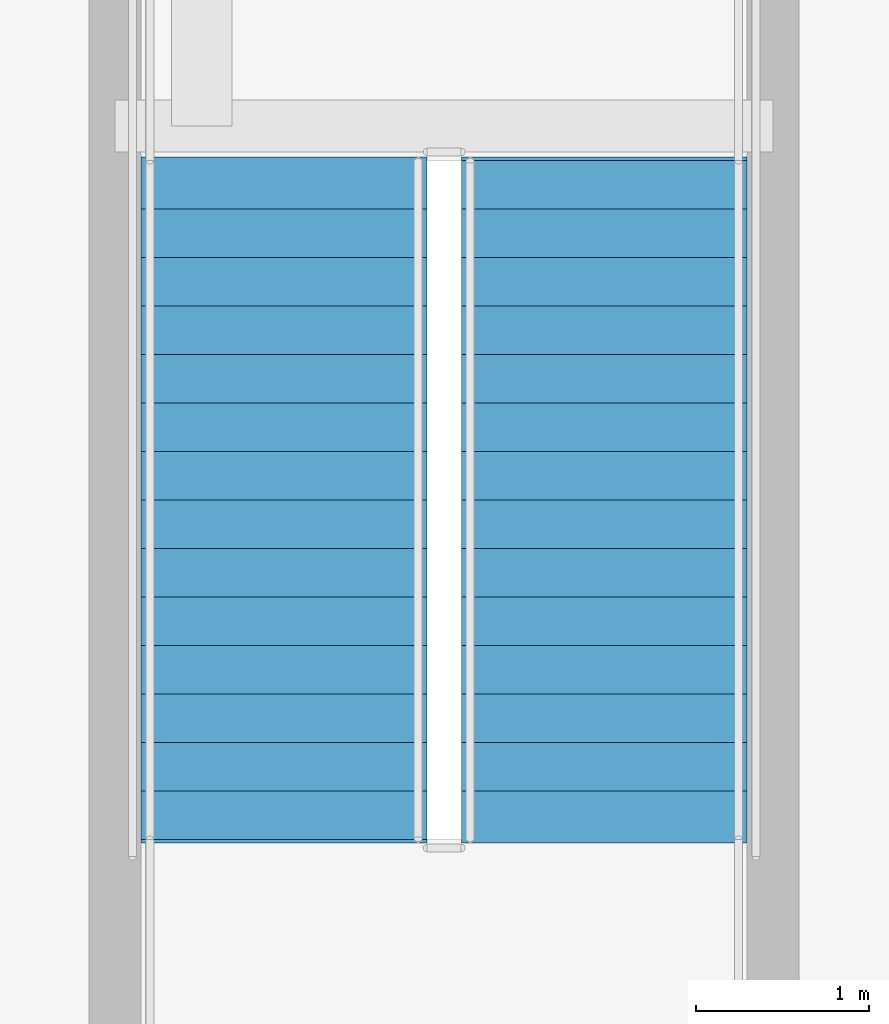
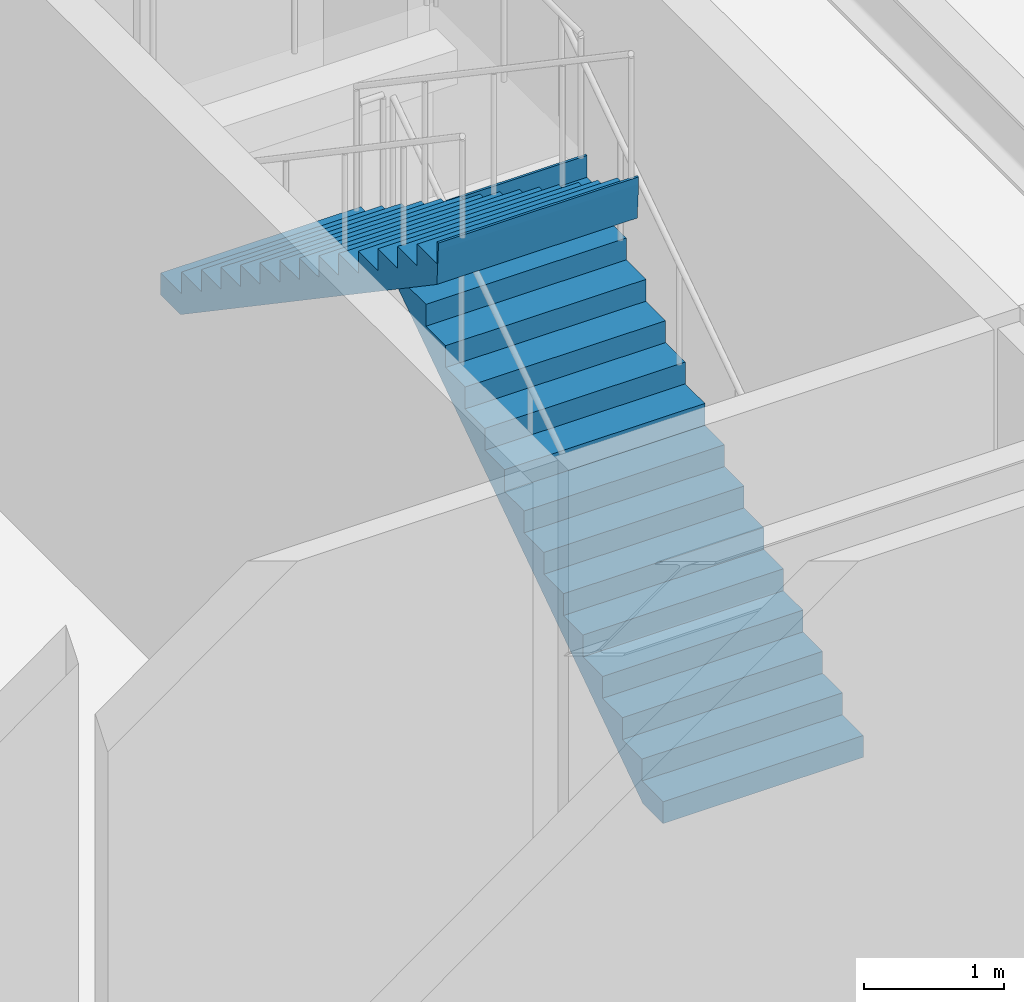
# One storey, part 8 of 12: 2 stair flights, 1 element without a shape of its own.
"""IFC4 building model written with IfcOpenShell, lengths in metres."""

import ifcopenshell
import ifcopenshell.guid

model = None  # the IFC model being written
_history = None  # IfcOwnerHistory: only IFC2X3 demands one
_inside = {}  # id of a spatial element -> (the spatial element, [elements in it])
_under = {}  # id of a project, library or spatial element -> (it, [spatial elements below it])
_declared = {}  # id of a project -> (the project, [libraries it declares])
_typed = {}  # id of a type object -> (the type object, [elements of that type])
_made_of = {}  # id of a material, layer set ... -> (it, [elements and type objects made of it])


def new_model(schema):
    """Start an empty IFC model of exactly this schema.

    Asked for "IFC4X3", IfcOpenShell would pick the latest addendum, in which some entities
    have other attributes; the version numbers below select the first issue.
    IFC2X3 requires an IfcOwnerHistory on every rooted entity: one is made here for all.
    """
    global model, _history
    if schema == "IFC4X3":
        model = ifcopenshell.file(schema_version=(4, 3, 0, 0))
    else:
        model = ifcopenshell.file(schema=schema)
    _inside.clear()
    _under.clear()
    _declared.clear()
    _typed.clear()
    _made_of.clear()
    _history = None
    if model.schema == "IFC2X3":
        org = make("IfcOrganization", Name="unknown")
        user = make(
            "IfcPersonAndOrganization",
            ThePerson=make("IfcPerson", FamilyName="unknown"),
            TheOrganization=org,
        )
        app = make(
            "IfcApplication",
            ApplicationDeveloper=org,
            Version="unknown",
            ApplicationFullName="unknown",
            ApplicationIdentifier="unknown",
        )
        _history = make(
            "IfcOwnerHistory",
            OwningUser=user,
            OwningApplication=app,
            ChangeAction="ADDED",
            CreationDate=0,
        )
    return model


def make(cls, **values):
    """One entity of the class cls with the attributes given. An attribute that is None is left unset."""
    return model.create_entity(
        cls, **{name: value for name, value in values.items() if value is not None}
    )


def rooted(cls, **values):
    """An entity with a GlobalId (a new one), such as an element, a storey or a relation."""
    return make(cls, GlobalId=ifcopenshell.guid.new(), OwnerHistory=_history, **values)


def si_unit(unit_type, name, prefix=None):
    """IfcSIUnit, for example si_unit("LENGTHUNIT", "METRE", prefix="MILLI")."""
    return make("IfcSIUnit", UnitType=unit_type, Prefix=prefix, Name=name)


def assignment(units):
    """IfcUnitAssignment: the units of a project."""
    return None if units is None else make("IfcUnitAssignment", Units=units)


def point(xyz):
    """IfcCartesianPoint."""
    return None if xyz is None else make("IfcCartesianPoint", Coordinates=xyz)


def direction(xyz):
    """IfcDirection."""
    return None if xyz is None else make("IfcDirection", DirectionRatios=xyz)


def frame(location, z_axis=None, x_axis=None):
    """IfcAxis2Placement3D, a coordinate frame: its origin and axes. An axis left out is left unset."""
    return make(
        "IfcAxis2Placement3D",
        Location=point(location),
        Axis=direction(z_axis),
        RefDirection=direction(x_axis),
    )


def origin():
    """The frame at (0, 0, 0) with its axes left unset."""
    return frame((0.0, 0.0, 0.0))


def place(relative_to, where):
    """IfcLocalPlacement: puts the frame where relative to a parent placement (None: the world)."""
    return make(
        "IfcLocalPlacement", PlacementRelTo=relative_to, RelativePlacement=where
    )


def context(
    kind, dimensions, precision=None, world=None, true_north=None, identifier=None
):
    """IfcGeometricRepresentationContext, for example the 3D "Model" context."""
    return make(
        "IfcGeometricRepresentationContext",
        ContextIdentifier=identifier,
        ContextType=kind,
        CoordinateSpaceDimension=dimensions,
        Precision=precision,
        WorldCoordinateSystem=world,
        TrueNorth=true_north,
    )


def subcontext(parent, identifier, kind, view, scale=None):
    """IfcGeometricRepresentationSubContext, for example "Body" below "Model"."""
    return make(
        "IfcGeometricRepresentationSubContext",
        ContextIdentifier=identifier,
        ContextType=kind,
        ParentContext=parent,
        TargetScale=scale,
        TargetView=view,
    )


def project(units=None, contexts=None):
    """IfcProject with its units and contexts."""
    return rooted(
        "IfcProject",
        Name="project",
        RepresentationContexts=contexts,
        UnitsInContext=assignment(units),
    )


def spatial(cls, under=None, at=None, **own):
    """A site, building, storey or space (cls), placed at a placement, below another one or the project."""
    s = rooted(cls, ObjectPlacement=at, **own)
    if under is not None:
        _under.setdefault(under.id(), (under, []))[1].append(s)
    return s


def point_list(points):
    """IfcCartesianPointList2D or 3D."""
    cls = (
        "IfcCartesianPointList2D" if len(points[0]) == 2 else "IfcCartesianPointList3D"
    )
    return make(cls, CoordList=points)


def polygons(points, faces, closed=None, point_numbers=None):
    """IfcPolygonalFaceSet: a face is its outer loop, then its inner loops; points numbered from 1."""
    made = []
    for loops in faces:
        if len(loops) == 1:
            made.append(make("IfcIndexedPolygonalFace", CoordIndex=loops[0]))
        else:
            made.append(
                make(
                    "IfcIndexedPolygonalFaceWithVoids",
                    CoordIndex=loops[0],
                    InnerCoordIndices=loops[1:],
                )
            )
    return make(
        "IfcPolygonalFaceSet",
        Coordinates=point_list(points),
        Closed=closed,
        Faces=made,
        PnIndex=point_numbers,
    )


def shape(context_of_items, identifier, shape_type, items):
    """IfcShapeRepresentation: the items that make up one representation, for example the "Body"."""
    return make(
        "IfcShapeRepresentation",
        ContextOfItems=context_of_items,
        RepresentationIdentifier=identifier,
        RepresentationType=shape_type,
        Items=items,
    )


def material(Name=None, Category=None):
    """IfcMaterial."""
    return make("IfcMaterial", Name=Name, Category=Category)


def made_of(thing, what):
    """Note that an element or type object is made of a material, layer set ...; save() writes the relation."""
    if what is not None:
        _made_of.setdefault(what.id(), (what, []))[1].append(thing)
    return thing


def type_object(cls, material=None, **own):
    """A type object (cls), such as IfcWallType, which elements share."""
    return made_of(rooted(cls, **own), material)


def element(
    cls,
    number,
    at=None,
    inside=None,
    cuts=None,
    type_object=None,
    material=None,
    context=None,
    identifier="Body",
    shape_type=None,
    held_by="IfcProductDefinitionShape",
    body=None,
    shapes=None,
    **own,
):
    """One element of the class cls, such as IfcWall. Its Tag is "e" and its number.

    at: its placement. inside: the storey or other place that contains it. cuts: it is an
    opening in that element (IfcRelVoidsElement). A single representation is given by context,
    identifier, shape_type and body (its items); several are given by shapes. held_by: the class
    of the entity that holds the representations. save() writes the other relations.
    """
    e = rooted(cls, Tag="e%d" % number, ObjectPlacement=at, **own)
    if body is not None:
        shapes = [shape(context, identifier, shape_type, body)]
    if shapes is not None:
        e.Representation = make(held_by, Representations=shapes)
    if inside is not None:
        _inside.setdefault(inside.id(), (inside, []))[1].append(e)
    if cuts is not None:
        rooted(
            "IfcRelVoidsElement", RelatingBuildingElement=cuts, RelatedOpeningElement=e
        )
    if type_object is not None:
        _typed.setdefault(type_object.id(), (type_object, []))[1].append(e)
    return made_of(e, material)


def aggregate(whole, parts):
    """IfcRelAggregates: a whole, such as a stair, and the parts it consists of."""
    return rooted("IfcRelAggregates", RelatingObject=whole, RelatedObjects=parts)


def save(model, path):
    """Write the relations noted so far, then the file.

    IfcRelAggregates (storeys below a building ...), IfcRelContainedInSpatialStructure (elements
    in a storey), IfcRelDefinesByType, IfcRelAssociatesMaterial and IfcRelDeclares: one each for
    every whole, place, type object, material and project.
    """
    for whole, parts in _under.values():
        aggregate(whole, parts)
    for where, things in _inside.values():
        rooted(
            "IfcRelContainedInSpatialStructure",
            RelatedElements=things,
            RelatingStructure=where,
        )
    for kind, things in _typed.values():
        rooted("IfcRelDefinesByType", RelatedObjects=things, RelatingType=kind)
    for what, things in _made_of.values():
        rooted("IfcRelAssociatesMaterial", RelatedObjects=things, RelatingMaterial=what)
    for by, libraries in _declared.values():
        rooted("IfcRelDeclares", RelatingContext=by, RelatedDefinitions=libraries)
    model.write(path)


model = new_model("IFC4")

# Units and contexts
model_context = context("Model", 3, precision=1e-05, world=origin(), true_north=direction((0.0, 1.0)))
body_context = subcontext(model_context, "Body", "Model", "MODEL_VIEW")
ifc_project = project(units=[si_unit("LENGTHUNIT", "METRE"), si_unit("AREAUNIT", "SQUARE_METRE"), si_unit("VOLUMEUNIT", "CUBIC_METRE"), si_unit("PLANEANGLEUNIT", "RADIAN"), si_unit("MASSUNIT", "GRAM", prefix="KILO")], contexts=[model_context])

# Site, building, storey
site_placement = place(None, origin())
site = spatial("IfcSite", under=ifc_project, at=site_placement, CompositionType="ELEMENT")
building_placement = place(site_placement, origin())
building = spatial("IfcBuilding", under=site, at=building_placement, Name="Serunith Strait Residences", CompositionType="ELEMENT")
storey_placement = place(building_placement, frame((0.0, 0.0, 15.300048828125)))
storey = spatial("IfcBuildingStorey", under=building, at=storey_placement, Name="L03", CompositionType="ELEMENT", Elevation=15.300048828125)

# Stair, stair flights
ifc_material = material(Name="Concrete C50/60", Category="concrete")
stair_type = type_object("IfcStairType", Name="STR-POD-4", PredefinedType="HALF_TURN_STAIR", material=ifc_material)
stair_placement = place(storey_placement, origin())
stair = element("IfcStair", 1, at=stair_placement, inside=storey, type_object=stair_type, Name="L03 Podium Escape Stair ST-4", PredefinedType="HALF_TURN_STAIR")
stair_flight_type = type_object("IfcStairFlightType", Name="FLT-POD-4", PredefinedType="STRAIGHT", material=ifc_material)
stair_flight_1_placement = place(storey_placement, frame((49.77490234375, 36.8798828125, 0.0), z_axis=(0.0, 0.0, 1.0), x_axis=(0.0, 1.0, 0.0)))
stair_flight_1 = element("IfcStairFlight", 2, at=stair_flight_1_placement, type_object=stair_flight_type, Name="ST-4 flight 1", NumberOfRisers=15, NumberOfTreads=14, PredefinedType="STRAIGHT", RiserHeight=0.19, TreadLength=0.28, context=body_context, shape_type="Tessellation", body=[
    polygons([(-0.02001953125, -0.824951171875, 0.0), (-0.02001953125, -0.824951171875, 0.18994140625), (0.280029296875, -0.824951171875, 0.18994140625), (0.280029296875, -0.824951171875, 0.3798828125), (0.56005859375, -0.824951171875, 0.3798828125), (0.56005859375, -0.824951171875, 0.570068359375), (0.840087890625, -0.824951171875, 0.570068359375), (0.840087890625, -0.824951171875, 0.760009765625), (1.1201171875, -0.824951171875, 0.760009765625), (1.1201171875, -0.824951171875, 0.949951171875), (1.39990234375, -0.824951171875, 0.949951171875), (1.39990234375, -0.824951171875, 1.139892578125), (1.679931640625, -0.824951171875, 1.139892578125), (1.679931640625, -0.824951171875, 1.330078125), (1.9599609375, -0.824951171875, 1.330078125), (1.9599609375, -0.824951171875, 1.52001953125), (2.239990234375, -0.824951171875, 1.52001953125), (2.239990234375, -0.824951171875, 1.7099609375), (2.52001953125, -0.824951171875, 1.7099609375), (2.52001953125, -0.824951171875, 1.89990234375), (2.800048828125, -0.824951171875, 1.89990234375), (2.800048828125, -0.824951171875, 2.090087890625), (3.080078125, -0.824951171875, 2.090087890625), (3.080078125, -0.824951171875, 2.280029296875), (3.360107421875, -0.824951171875, 2.280029296875), (3.360107421875, -0.824951171875, 2.469970703125), (3.639892578125, -0.824951171875, 2.469970703125), (3.639892578125, -0.824951171875, 2.659912109375), (3.919921875, -0.824951171875, 2.659912109375), (3.919921875, -0.824951171875, 2.85009765625), (3.93994140625, -0.824951171875, 2.85009765625), (3.93994140625, -0.824951171875, 2.7900390625), (3.919921875, -0.824951171875, 2.478759765625), (0.266845703125, -0.824951171875, 0.0), (-0.02001953125, -0.41259765625, 0.0), (-0.02001953125, -0.41259765625, 0.18994140625), (0.280029296875, -0.41259765625, 0.18994140625), (0.280029296875, -0.41259765625, 0.3798828125), (0.56005859375, -0.41259765625, 0.3798828125), (0.56005859375, -0.41259765625, 0.570068359375), (0.840087890625, -0.41259765625, 0.570068359375), (0.840087890625, -0.41259765625, 0.760009765625), (1.1201171875, -0.41259765625, 0.760009765625), (1.1201171875, -0.41259765625, 0.949951171875), (1.39990234375, -0.41259765625, 0.949951171875), (1.39990234375, -0.41259765625, 1.139892578125), (1.679931640625, -0.41259765625, 1.139892578125), (1.679931640625, -0.41259765625, 1.330078125), (1.9599609375, -0.41259765625, 1.330078125), (1.9599609375, -0.41259765625, 1.52001953125), (2.239990234375, -0.41259765625, 1.52001953125), (2.239990234375, -0.41259765625, 1.7099609375), (2.52001953125, -0.41259765625, 1.7099609375), (2.52001953125, -0.41259765625, 1.89990234375), (2.800048828125, -0.41259765625, 1.89990234375), (2.800048828125, -0.41259765625, 2.090087890625), (3.080078125, -0.41259765625, 2.090087890625), (3.080078125, -0.41259765625, 2.280029296875), (3.360107421875, -0.41259765625, 2.280029296875), (3.360107421875, -0.41259765625, 2.469970703125), (3.639892578125, -0.41259765625, 2.469970703125), (3.639892578125, -0.41259765625, 2.659912109375), (3.919921875, -0.41259765625, 2.659912109375), (3.919921875, -0.41259765625, 2.85009765625), (3.93994140625, -0.41259765625, 2.85009765625), (3.93994140625, -0.41259765625, 2.7900390625), (3.919921875, -0.41259765625, 2.478759765625), (0.266845703125, -0.41259765625, 0.0), (-0.02001953125, 0.0, 0.0), (-0.02001953125, 0.0, 0.18994140625), (0.280029296875, 0.0, 0.18994140625), (0.280029296875, 0.0, 0.3798828125), (0.56005859375, 0.0, 0.3798828125), (0.56005859375, 0.0, 0.570068359375), (0.840087890625, 0.0, 0.570068359375), (0.840087890625, 0.0, 0.760009765625), (1.1201171875, 0.0, 0.760009765625), (1.1201171875, 0.0, 0.949951171875), (1.39990234375, 0.0, 0.949951171875), (1.39990234375, 0.0, 1.139892578125), (1.679931640625, 0.0, 1.139892578125), (1.679931640625, 0.0, 1.330078125), (1.9599609375, 0.0, 1.330078125), (1.9599609375, 0.0, 1.52001953125), (2.239990234375, 0.0, 1.52001953125), (2.239990234375, 0.0, 1.7099609375), (2.52001953125, 0.0, 1.7099609375), (2.52001953125, 0.0, 1.89990234375), (2.800048828125, 0.0, 1.89990234375), (2.800048828125, 0.0, 2.090087890625), (3.080078125, 0.0, 2.090087890625), (3.080078125, 0.0, 2.280029296875), (3.360107421875, 0.0, 2.280029296875), (3.360107421875, 0.0, 2.469970703125), (3.639892578125, 0.0, 2.469970703125), (3.639892578125, 0.0, 2.659912109375), (3.919921875, 0.0, 2.659912109375), (3.919921875, 0.0, 2.85009765625), (3.93994140625, 0.0, 2.85009765625), (3.93994140625, 0.0, 2.7900390625), (3.919921875, 0.0, 2.478759765625), (0.266845703125, 0.0, 0.0), (-0.02001953125, 0.41259765625, 0.0), (-0.02001953125, 0.41259765625, 0.18994140625), (0.280029296875, 0.41259765625, 0.18994140625), (0.280029296875, 0.41259765625, 0.3798828125), (0.56005859375, 0.41259765625, 0.3798828125), (0.56005859375, 0.41259765625, 0.570068359375), (0.840087890625, 0.41259765625, 0.570068359375), (0.840087890625, 0.41259765625, 0.760009765625), (1.1201171875, 0.41259765625, 0.760009765625), (1.1201171875, 0.41259765625, 0.949951171875), (1.39990234375, 0.41259765625, 0.949951171875), (1.39990234375, 0.41259765625, 1.139892578125), (1.679931640625, 0.41259765625, 1.139892578125), (1.679931640625, 0.41259765625, 1.330078125), (1.9599609375, 0.41259765625, 1.330078125), (1.9599609375, 0.41259765625, 1.52001953125), (2.239990234375, 0.41259765625, 1.52001953125), (2.239990234375, 0.41259765625, 1.7099609375), (2.52001953125, 0.41259765625, 1.7099609375), (2.52001953125, 0.41259765625, 1.89990234375), (2.800048828125, 0.41259765625, 1.89990234375), (2.800048828125, 0.41259765625, 2.090087890625), (3.080078125, 0.41259765625, 2.090087890625), (3.080078125, 0.41259765625, 2.280029296875), (3.360107421875, 0.41259765625, 2.280029296875), (3.360107421875, 0.41259765625, 2.469970703125), (3.639892578125, 0.41259765625, 2.469970703125), (3.639892578125, 0.41259765625, 2.659912109375), (3.919921875, 0.41259765625, 2.659912109375), (3.919921875, 0.41259765625, 2.85009765625), (3.93994140625, 0.41259765625, 2.85009765625), (3.93994140625, 0.41259765625, 2.7900390625), (3.919921875, 0.41259765625, 2.478759765625), (0.266845703125, 0.41259765625, 0.0), (-0.02001953125, 0.824951171875, 0.0), (-0.02001953125, 0.824951171875, 0.18994140625), (0.280029296875, 0.824951171875, 0.18994140625), (0.280029296875, 0.824951171875, 0.3798828125), (0.56005859375, 0.824951171875, 0.3798828125), (0.56005859375, 0.824951171875, 0.570068359375), (0.840087890625, 0.824951171875, 0.570068359375), (0.840087890625, 0.824951171875, 0.760009765625), (1.1201171875, 0.824951171875, 0.760009765625), (1.1201171875, 0.824951171875, 0.949951171875), (1.39990234375, 0.824951171875, 0.949951171875), (1.39990234375, 0.824951171875, 1.139892578125), (1.679931640625, 0.824951171875, 1.139892578125), (1.679931640625, 0.824951171875, 1.330078125), (1.9599609375, 0.824951171875, 1.330078125), (1.9599609375, 0.824951171875, 1.52001953125), (2.239990234375, 0.824951171875, 1.52001953125), (2.239990234375, 0.824951171875, 1.7099609375), (2.52001953125, 0.824951171875, 1.7099609375), (2.52001953125, 0.824951171875, 1.89990234375), (2.800048828125, 0.824951171875, 1.89990234375), (2.800048828125, 0.824951171875, 2.090087890625), (3.080078125, 0.824951171875, 2.090087890625), (3.080078125, 0.824951171875, 2.280029296875), (3.360107421875, 0.824951171875, 2.280029296875), (3.360107421875, 0.824951171875, 2.469970703125), (3.639892578125, 0.824951171875, 2.469970703125), (3.639892578125, 0.824951171875, 2.659912109375), (3.919921875, 0.824951171875, 2.659912109375), (3.919921875, 0.824951171875, 2.85009765625), (3.93994140625, 0.824951171875, 2.85009765625), (3.93994140625, 0.824951171875, 2.7900390625), (3.919921875, 0.824951171875, 2.478759765625), (0.266845703125, 0.824951171875, 0.0)], [[[1, 2, 36, 35]], [[2, 3, 37, 36]], [[3, 4, 38, 37]], [[4, 5, 39, 38]], [[5, 6, 40, 39]], [[6, 7, 41, 40]], [[7, 8, 42, 41]], [[8, 9, 43, 42]], [[9, 10, 44, 43]], [[10, 11, 45, 44]], [[11, 12, 46, 45]], [[12, 13, 47, 46]], [[13, 14, 48, 47]], [[14, 15, 49, 48]], [[15, 16, 50, 49]], [[16, 17, 51, 50]], [[17, 18, 52, 51]], [[18, 19, 53, 52]], [[19, 20, 54, 53]], [[20, 21, 55, 54]], [[21, 22, 56, 55]], [[22, 23, 57, 56]], [[23, 24, 58, 57]], [[24, 25, 59, 58]], [[25, 26, 60, 59]], [[26, 27, 61, 60]], [[27, 28, 62, 61]], [[28, 29, 63, 62]], [[29, 30, 64, 63]], [[30, 31, 65, 64]], [[31, 32, 66, 65]], [[32, 33, 67, 66]], [[33, 34, 68, 67]], [[34, 1, 35, 68]], [[35, 36, 70, 69]], [[36, 37, 71, 70]], [[37, 38, 72, 71]], [[38, 39, 73, 72]], [[39, 40, 74, 73]], [[40, 41, 75, 74]], [[41, 42, 76, 75]], [[42, 43, 77, 76]], [[43, 44, 78, 77]], [[44, 45, 79, 78]], [[45, 46, 80, 79]], [[46, 47, 81, 80]], [[47, 48, 82, 81]], [[48, 49, 83, 82]], [[49, 50, 84, 83]], [[50, 51, 85, 84]], [[51, 52, 86, 85]], [[52, 53, 87, 86]], [[53, 54, 88, 87]], [[54, 55, 89, 88]], [[55, 56, 90, 89]], [[56, 57, 91, 90]], [[57, 58, 92, 91]], [[58, 59, 93, 92]], [[59, 60, 94, 93]], [[60, 61, 95, 94]], [[61, 62, 96, 95]], [[62, 63, 97, 96]], [[63, 64, 98, 97]], [[64, 65, 99, 98]], [[65, 66, 100, 99]], [[66, 67, 101, 100]], [[67, 68, 102, 101]], [[68, 35, 69, 102]], [[69, 70, 104, 103]], [[70, 71, 105, 104]], [[71, 72, 106, 105]], [[72, 73, 107, 106]], [[73, 74, 108, 107]], [[74, 75, 109, 108]], [[75, 76, 110, 109]], [[76, 77, 111, 110]], [[77, 78, 112, 111]], [[78, 79, 113, 112]], [[79, 80, 114, 113]], [[80, 81, 115, 114]], [[81, 82, 116, 115]], [[82, 83, 117, 116]], [[83, 84, 118, 117]], [[84, 85, 119, 118]], [[85, 86, 120, 119]], [[86, 87, 121, 120]], [[87, 88, 122, 121]], [[88, 89, 123, 122]], [[89, 90, 124, 123]], [[90, 91, 125, 124]], [[91, 92, 126, 125]], [[92, 93, 127, 126]], [[93, 94, 128, 127]], [[94, 95, 129, 128]], [[95, 96, 130, 129]], [[96, 97, 131, 130]], [[97, 98, 132, 131]], [[98, 99, 133, 132]], [[99, 100, 134, 133]], [[100, 101, 135, 134]], [[101, 102, 136, 135]], [[102, 69, 103, 136]], [[103, 104, 138, 137]], [[104, 105, 139, 138]], [[105, 106, 140, 139]], [[106, 107, 141, 140]], [[107, 108, 142, 141]], [[108, 109, 143, 142]], [[109, 110, 144, 143]], [[110, 111, 145, 144]], [[111, 112, 146, 145]], [[112, 113, 147, 146]], [[113, 114, 148, 147]], [[114, 115, 149, 148]], [[115, 116, 150, 149]], [[116, 117, 151, 150]], [[117, 118, 152, 151]], [[118, 119, 153, 152]], [[119, 120, 154, 153]], [[120, 121, 155, 154]], [[121, 122, 156, 155]], [[122, 123, 157, 156]], [[123, 124, 158, 157]], [[124, 125, 159, 158]], [[125, 126, 160, 159]], [[126, 127, 161, 160]], [[127, 128, 162, 161]], [[128, 129, 163, 162]], [[129, 130, 164, 163]], [[130, 131, 165, 164]], [[131, 132, 166, 165]], [[132, 133, 167, 166]], [[133, 134, 168, 167]], [[134, 135, 169, 168]], [[135, 136, 170, 169]], [[136, 103, 137, 170]], [[34, 33, 32, 31, 30, 29, 28, 27, 26, 25, 24, 23, 22, 21, 20, 19, 18, 17, 16, 15, 14, 13, 12, 11, 10, 9, 8, 7, 6, 5, 4, 3, 2, 1]], [[137, 138, 139, 140, 141, 142, 143, 144, 145, 146, 147, 148, 149, 150, 151, 152, 153, 154, 155, 156, 157, 158, 159, 160, 161, 162, 163, 164, 165, 166, 167, 168, 169, 170]]], closed=True),
])
stair_flight_2_placement = place(storey_placement, frame((47.925048828125, 40.800048828125, 2.849853515625), z_axis=(0.0, 0.0, 1.0), x_axis=(0.0, -1.0, 0.0)))
stair_flight_2 = element("IfcStairFlight", 3, at=stair_flight_2_placement, type_object=stair_flight_type, Name="ST-4 flight 2", NumberOfRisers=15, NumberOfTreads=14, PredefinedType="STRAIGHT", RiserHeight=0.19, TreadLength=0.28, context=body_context, shape_type="Tessellation", body=[
    polygons([(-0.02001953125, -0.824951171875, 0.0), (-0.02001953125, -0.824951171875, 0.18994140625), (0.280029296875, -0.824951171875, 0.18994140625), (0.280029296875, -0.824951171875, 0.3798828125), (0.56005859375, -0.824951171875, 0.3798828125), (0.56005859375, -0.824951171875, 0.570068359375), (0.840087890625, -0.824951171875, 0.570068359375), (0.840087890625, -0.824951171875, 0.760009765625), (1.1201171875, -0.824951171875, 0.760009765625), (1.1201171875, -0.824951171875, 0.949951171875), (1.39990234375, -0.824951171875, 0.949951171875), (1.39990234375, -0.824951171875, 1.139892578125), (1.679931640625, -0.824951171875, 1.139892578125), (1.679931640625, -0.824951171875, 1.330078125), (1.9599609375, -0.824951171875, 1.330078125), (1.9599609375, -0.824951171875, 1.52001953125), (2.239990234375, -0.824951171875, 1.52001953125), (2.239990234375, -0.824951171875, 1.7099609375), (2.52001953125, -0.824951171875, 1.7099609375), (2.52001953125, -0.824951171875, 1.89990234375), (2.800048828125, -0.824951171875, 1.89990234375), (2.800048828125, -0.824951171875, 2.090087890625), (3.080078125, -0.824951171875, 2.090087890625), (3.080078125, -0.824951171875, 2.280029296875), (3.360107421875, -0.824951171875, 2.280029296875), (3.360107421875, -0.824951171875, 2.469970703125), (3.639892578125, -0.824951171875, 2.469970703125), (3.639892578125, -0.824951171875, 2.659912109375), (3.919921875, -0.824951171875, 2.659912109375), (3.919921875, -0.824951171875, 2.85009765625), (3.93994140625, -0.824951171875, 2.85009765625), (3.93994140625, -0.824951171875, 2.7900390625), (3.919921875, -0.824951171875, 2.478759765625), (0.266845703125, -0.824951171875, 0.0), (-0.02001953125, -0.41259765625, 0.0), (-0.02001953125, -0.41259765625, 0.18994140625), (0.280029296875, -0.41259765625, 0.18994140625), (0.280029296875, -0.41259765625, 0.3798828125), (0.56005859375, -0.41259765625, 0.3798828125), (0.56005859375, -0.41259765625, 0.570068359375), (0.840087890625, -0.41259765625, 0.570068359375), (0.840087890625, -0.41259765625, 0.760009765625), (1.1201171875, -0.41259765625, 0.760009765625), (1.1201171875, -0.41259765625, 0.949951171875), (1.39990234375, -0.41259765625, 0.949951171875), (1.39990234375, -0.41259765625, 1.139892578125), (1.679931640625, -0.41259765625, 1.139892578125), (1.679931640625, -0.41259765625, 1.330078125), (1.9599609375, -0.41259765625, 1.330078125), (1.9599609375, -0.41259765625, 1.52001953125), (2.239990234375, -0.41259765625, 1.52001953125), (2.239990234375, -0.41259765625, 1.7099609375), (2.52001953125, -0.41259765625, 1.7099609375), (2.52001953125, -0.41259765625, 1.89990234375), (2.800048828125, -0.41259765625, 1.89990234375), (2.800048828125, -0.41259765625, 2.090087890625), (3.080078125, -0.41259765625, 2.090087890625), (3.080078125, -0.41259765625, 2.280029296875), (3.360107421875, -0.41259765625, 2.280029296875), (3.360107421875, -0.41259765625, 2.469970703125), (3.639892578125, -0.41259765625, 2.469970703125), (3.639892578125, -0.41259765625, 2.659912109375), (3.919921875, -0.41259765625, 2.659912109375), (3.919921875, -0.41259765625, 2.85009765625), (3.93994140625, -0.41259765625, 2.85009765625), (3.93994140625, -0.41259765625, 2.7900390625), (3.919921875, -0.41259765625, 2.478759765625), (0.266845703125, -0.41259765625, 0.0), (-0.02001953125, 0.0, 0.0), (-0.02001953125, 0.0, 0.18994140625), (0.280029296875, 0.0, 0.18994140625), (0.280029296875, 0.0, 0.3798828125), (0.56005859375, 0.0, 0.3798828125), (0.56005859375, 0.0, 0.570068359375), (0.840087890625, 0.0, 0.570068359375), (0.840087890625, 0.0, 0.760009765625), (1.1201171875, 0.0, 0.760009765625), (1.1201171875, 0.0, 0.949951171875), (1.39990234375, 0.0, 0.949951171875), (1.39990234375, 0.0, 1.139892578125), (1.679931640625, 0.0, 1.139892578125), (1.679931640625, 0.0, 1.330078125), (1.9599609375, 0.0, 1.330078125), (1.9599609375, 0.0, 1.52001953125), (2.239990234375, 0.0, 1.52001953125), (2.239990234375, 0.0, 1.7099609375), (2.52001953125, 0.0, 1.7099609375), (2.52001953125, 0.0, 1.89990234375), (2.800048828125, 0.0, 1.89990234375), (2.800048828125, 0.0, 2.090087890625), (3.080078125, 0.0, 2.090087890625), (3.080078125, 0.0, 2.280029296875), (3.360107421875, 0.0, 2.280029296875), (3.360107421875, 0.0, 2.469970703125), (3.639892578125, 0.0, 2.469970703125), (3.639892578125, 0.0, 2.659912109375), (3.919921875, 0.0, 2.659912109375), (3.919921875, 0.0, 2.85009765625), (3.93994140625, 0.0, 2.85009765625), (3.93994140625, 0.0, 2.7900390625), (3.919921875, 0.0, 2.478759765625), (0.266845703125, 0.0, 0.0), (-0.02001953125, 0.41259765625, 0.0), (-0.02001953125, 0.41259765625, 0.18994140625), (0.280029296875, 0.41259765625, 0.18994140625), (0.280029296875, 0.41259765625, 0.3798828125), (0.56005859375, 0.41259765625, 0.3798828125), (0.56005859375, 0.41259765625, 0.570068359375), (0.840087890625, 0.41259765625, 0.570068359375), (0.840087890625, 0.41259765625, 0.760009765625), (1.1201171875, 0.41259765625, 0.760009765625), (1.1201171875, 0.41259765625, 0.949951171875), (1.39990234375, 0.41259765625, 0.949951171875), (1.39990234375, 0.41259765625, 1.139892578125), (1.679931640625, 0.41259765625, 1.139892578125), (1.679931640625, 0.41259765625, 1.330078125), (1.9599609375, 0.41259765625, 1.330078125), (1.9599609375, 0.41259765625, 1.52001953125), (2.239990234375, 0.41259765625, 1.52001953125), (2.239990234375, 0.41259765625, 1.7099609375), (2.52001953125, 0.41259765625, 1.7099609375), (2.52001953125, 0.41259765625, 1.89990234375), (2.800048828125, 0.41259765625, 1.89990234375), (2.800048828125, 0.41259765625, 2.090087890625), (3.080078125, 0.41259765625, 2.090087890625), (3.080078125, 0.41259765625, 2.280029296875), (3.360107421875, 0.41259765625, 2.280029296875), (3.360107421875, 0.41259765625, 2.469970703125), (3.639892578125, 0.41259765625, 2.469970703125), (3.639892578125, 0.41259765625, 2.659912109375), (3.919921875, 0.41259765625, 2.659912109375), (3.919921875, 0.41259765625, 2.85009765625), (3.93994140625, 0.41259765625, 2.85009765625), (3.93994140625, 0.41259765625, 2.7900390625), (3.919921875, 0.41259765625, 2.478759765625), (0.266845703125, 0.41259765625, 0.0), (-0.02001953125, 0.824951171875, 0.0), (-0.02001953125, 0.824951171875, 0.18994140625), (0.280029296875, 0.824951171875, 0.18994140625), (0.280029296875, 0.824951171875, 0.3798828125), (0.56005859375, 0.824951171875, 0.3798828125), (0.56005859375, 0.824951171875, 0.570068359375), (0.840087890625, 0.824951171875, 0.570068359375), (0.840087890625, 0.824951171875, 0.760009765625), (1.1201171875, 0.824951171875, 0.760009765625), (1.1201171875, 0.824951171875, 0.949951171875), (1.39990234375, 0.824951171875, 0.949951171875), (1.39990234375, 0.824951171875, 1.139892578125), (1.679931640625, 0.824951171875, 1.139892578125), (1.679931640625, 0.824951171875, 1.330078125), (1.9599609375, 0.824951171875, 1.330078125), (1.9599609375, 0.824951171875, 1.52001953125), (2.239990234375, 0.824951171875, 1.52001953125), (2.239990234375, 0.824951171875, 1.7099609375), (2.52001953125, 0.824951171875, 1.7099609375), (2.52001953125, 0.824951171875, 1.89990234375), (2.800048828125, 0.824951171875, 1.89990234375), (2.800048828125, 0.824951171875, 2.090087890625), (3.080078125, 0.824951171875, 2.090087890625), (3.080078125, 0.824951171875, 2.280029296875), (3.360107421875, 0.824951171875, 2.280029296875), (3.360107421875, 0.824951171875, 2.469970703125), (3.639892578125, 0.824951171875, 2.469970703125), (3.639892578125, 0.824951171875, 2.659912109375), (3.919921875, 0.824951171875, 2.659912109375), (3.919921875, 0.824951171875, 2.85009765625), (3.93994140625, 0.824951171875, 2.85009765625), (3.93994140625, 0.824951171875, 2.7900390625), (3.919921875, 0.824951171875, 2.478759765625), (0.266845703125, 0.824951171875, 0.0)], [[[1, 2, 36, 35]], [[2, 3, 37, 36]], [[3, 4, 38, 37]], [[4, 5, 39, 38]], [[5, 6, 40, 39]], [[6, 7, 41, 40]], [[7, 8, 42, 41]], [[8, 9, 43, 42]], [[9, 10, 44, 43]], [[10, 11, 45, 44]], [[11, 12, 46, 45]], [[12, 13, 47, 46]], [[13, 14, 48, 47]], [[14, 15, 49, 48]], [[15, 16, 50, 49]], [[16, 17, 51, 50]], [[17, 18, 52, 51]], [[18, 19, 53, 52]], [[19, 20, 54, 53]], [[20, 21, 55, 54]], [[21, 22, 56, 55]], [[22, 23, 57, 56]], [[23, 24, 58, 57]], [[24, 25, 59, 58]], [[25, 26, 60, 59]], [[26, 27, 61, 60]], [[27, 28, 62, 61]], [[28, 29, 63, 62]], [[29, 30, 64, 63]], [[30, 31, 65, 64]], [[31, 32, 66, 65]], [[32, 33, 67, 66]], [[33, 34, 68, 67]], [[34, 1, 35, 68]], [[35, 36, 70, 69]], [[36, 37, 71, 70]], [[37, 38, 72, 71]], [[38, 39, 73, 72]], [[39, 40, 74, 73]], [[40, 41, 75, 74]], [[41, 42, 76, 75]], [[42, 43, 77, 76]], [[43, 44, 78, 77]], [[44, 45, 79, 78]], [[45, 46, 80, 79]], [[46, 47, 81, 80]], [[47, 48, 82, 81]], [[48, 49, 83, 82]], [[49, 50, 84, 83]], [[50, 51, 85, 84]], [[51, 52, 86, 85]], [[52, 53, 87, 86]], [[53, 54, 88, 87]], [[54, 55, 89, 88]], [[55, 56, 90, 89]], [[56, 57, 91, 90]], [[57, 58, 92, 91]], [[58, 59, 93, 92]], [[59, 60, 94, 93]], [[60, 61, 95, 94]], [[61, 62, 96, 95]], [[62, 63, 97, 96]], [[63, 64, 98, 97]], [[64, 65, 99, 98]], [[65, 66, 100, 99]], [[66, 67, 101, 100]], [[67, 68, 102, 101]], [[68, 35, 69, 102]], [[69, 70, 104, 103]], [[70, 71, 105, 104]], [[71, 72, 106, 105]], [[72, 73, 107, 106]], [[73, 74, 108, 107]], [[74, 75, 109, 108]], [[75, 76, 110, 109]], [[76, 77, 111, 110]], [[77, 78, 112, 111]], [[78, 79, 113, 112]], [[79, 80, 114, 113]], [[80, 81, 115, 114]], [[81, 82, 116, 115]], [[82, 83, 117, 116]], [[83, 84, 118, 117]], [[84, 85, 119, 118]], [[85, 86, 120, 119]], [[86, 87, 121, 120]], [[87, 88, 122, 121]], [[88, 89, 123, 122]], [[89, 90, 124, 123]], [[90, 91, 125, 124]], [[91, 92, 126, 125]], [[92, 93, 127, 126]], [[93, 94, 128, 127]], [[94, 95, 129, 128]], [[95, 96, 130, 129]], [[96, 97, 131, 130]], [[97, 98, 132, 131]], [[98, 99, 133, 132]], [[99, 100, 134, 133]], [[100, 101, 135, 134]], [[101, 102, 136, 135]], [[102, 69, 103, 136]], [[103, 104, 138, 137]], [[104, 105, 139, 138]], [[105, 106, 140, 139]], [[106, 107, 141, 140]], [[107, 108, 142, 141]], [[108, 109, 143, 142]], [[109, 110, 144, 143]], [[110, 111, 145, 144]], [[111, 112, 146, 145]], [[112, 113, 147, 146]], [[113, 114, 148, 147]], [[114, 115, 149, 148]], [[115, 116, 150, 149]], [[116, 117, 151, 150]], [[117, 118, 152, 151]], [[118, 119, 153, 152]], [[119, 120, 154, 153]], [[120, 121, 155, 154]], [[121, 122, 156, 155]], [[122, 123, 157, 156]], [[123, 124, 158, 157]], [[124, 125, 159, 158]], [[125, 126, 160, 159]], [[126, 127, 161, 160]], [[127, 128, 162, 161]], [[128, 129, 163, 162]], [[129, 130, 164, 163]], [[130, 131, 165, 164]], [[131, 132, 166, 165]], [[132, 133, 167, 166]], [[133, 134, 168, 167]], [[134, 135, 169, 168]], [[135, 136, 170, 169]], [[136, 103, 137, 170]], [[34, 33, 32, 31, 30, 29, 28, 27, 26, 25, 24, 23, 22, 21, 20, 19, 18, 17, 16, 15, 14, 13, 12, 11, 10, 9, 8, 7, 6, 5, 4, 3, 2, 1]], [[137, 138, 139, 140, 141, 142, 143, 144, 145, 146, 147, 148, 149, 150, 151, 152, 153, 154, 155, 156, 157, 158, 159, 160, 161, 162, 163, 164, 165, 166, 167, 168, 169, 170]]], closed=True),
])
aggregate(stair, [stair_flight_1, stair_flight_2])

save(model, "model.ifc")
